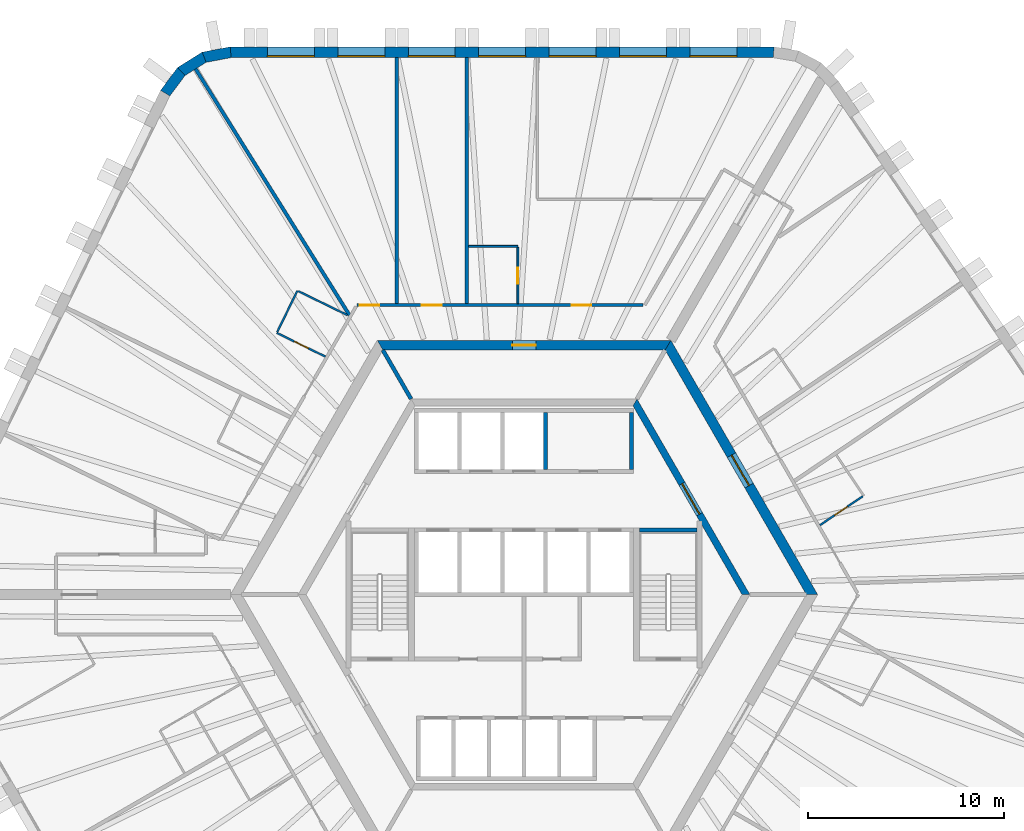
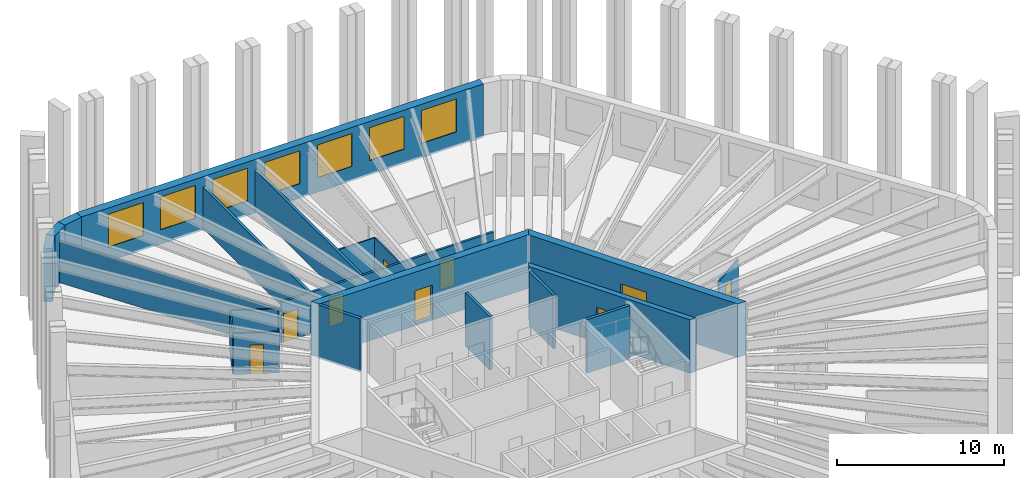
# One storey, part 7 of 10: 21 walls, 9 doors, 7 windows, 16 openings.
"""IFC4 building model written with IfcOpenShell, lengths in metres."""

from ifc_helpers import new_model, si_unit, direction, frame, frame_2d, origin, place, context, subcontext, project, spatial, polyline, rectangle, outline, extrude, material, layer, layer_set, type_object, element, fill, save


model = new_model("IFC4")

# Units and contexts
model_context = context("Model", 3, precision=1e-05, world=origin(), true_north=direction((0.0, 1.0)))
body_context = subcontext(model_context, "Body", "Model", "MODEL_VIEW")
ifc_project = project(units=[si_unit("LENGTHUNIT", "METRE"), si_unit("AREAUNIT", "SQUARE_METRE"), si_unit("VOLUMEUNIT", "CUBIC_METRE"), si_unit("PLANEANGLEUNIT", "RADIAN"), si_unit("MASSUNIT", "GRAM", prefix="KILO")], contexts=[model_context])

# Site, building, storey
site_placement = place(None, origin())
site = spatial("IfcSite", under=ifc_project, at=site_placement, CompositionType="ELEMENT")
building_placement = place(site_placement, origin())
building = spatial("IfcBuilding", under=site, at=building_placement, Name="Tarnside Tower", CompositionType="ELEMENT")
storey_placement = place(building_placement, frame((0.0, 0.0, 226.800048828125)))
storey = spatial("IfcBuildingStorey", under=building, at=storey_placement, Name="L54", CompositionType="ELEMENT", Elevation=226.800048828125)

# Wall
ifc_material_1 = material(Name="Gypsum board partition on steel studs", Category="steel")
ifc_layer_1 = layer(ifc_material_1, 0.10009765625)
ifc_layer_set_1 = layer_set([ifc_layer_1], Name="Bathroom wall 100")
wall_type_1 = type_object("IfcWallType", Name="Bathroom wall 100", PredefinedType="PARTITIONING", material=ifc_layer_set_1)
wall_1_placement = place(storey_placement, frame((-2.827880859375, 17.800048828125, 0.0), z_axis=(0.0, 0.0, 1.0), x_axis=(1.0, 0.0, 0.0)))
element("IfcWall", 1, at=wall_1_placement, inside=storey, type_object=wall_type_1, Name="Bathroom wall 18051", PredefinedType="PARTITIONING", context=body_context, shape_type="SweptSolid", body=[
    extrude(rectangle(XDim=2.510009765625, YDim=0.10009765625, at=frame_2d((1.2548828125, 0.0))), origin(), (0.0, 0.0, 1.0), 2.98779296875),
])

# Wall, opening, door
wall_2_placement = place(storey_placement, frame((-0.31787109375, 17.75, 0.0), z_axis=(0.0, 0.0, 1.0), x_axis=(0.0, -1.0, 0.0)))
wall_2 = element("IfcWall", 2, at=wall_2_placement, inside=storey, type_object=wall_type_1, Name="Bathroom wall 18052", PredefinedType="PARTITIONING", context=body_context, shape_type="SweptSolid", body=[
    extrude(rectangle(XDim=2.875, YDim=0.10009765625, at=frame_2d((1.4375, 0.0))), origin(), (0.0, 0.0, 1.0), 2.98779296875),
])
opening_1_placement = place(wall_2_placement, frame((1.050048828125, 0.0, 0.0)))
opening_1 = element("IfcOpeningElement", 3, at=opening_1_placement, cuts=wall_2, Name="Opening D-B1", PredefinedType="OPENING", context=body_context, shape_type="SweptSolid", body=[
    extrude(rectangle(XDim=0.800048828125, YDim=2.10009765625, at=frame_2d((0.39990234375, 1.050048828125))), frame((0.0, 0.06005859375, 0.0), z_axis=(0.0, -1.0, 0.0), x_axis=(1.0, 0.0, 0.0)), (0.0, 0.0, 1.0), 0.1201171875),
])
ifc_material_2 = material(Name="Timber door leaf", Category="wood")
door_type_1 = type_object("IfcDoorType", Name="Bathroom door 800", OperationType="NOTDEFINED", PredefinedType="DOOR", material=ifc_material_2)
door_1_placement = place(opening_1_placement, origin())
door_1 = element("IfcDoor", 4, at=door_1_placement, inside=storey, type_object=door_type_1, Name="Bathroom door 18002", OperationType="SINGLE_SWING_LEFT", OverallHeight=2.10009765625, OverallWidth=0.800048828125, PredefinedType="DOOR", context=body_context, shape_type="SweptSolid", body=[
    extrude(rectangle(XDim=0.800048828125, YDim=2.10009765625, at=frame_2d((0.39990234375, 1.050048828125))), frame((0.0, 0.02490234375, 0.0), z_axis=(0.0, -1.0, 0.0), x_axis=(1.0, 0.0, 0.0)), (0.0, 0.0, 1.0), 0.050048828125),
])
fill(opening_1, door_1)

wall_3_placement = place(storey_placement, frame((-10.153076171875, 12.164306640625, 0.0), z_axis=(0.0, 0.0, 1.0), x_axis=(-0.898780323471, 0.438399281638, 0.0)))
wall_3 = element("IfcWall", 5, at=wall_3_placement, inside=storey, type_object=wall_type_1, Name="Bathroom wall 18059", PredefinedType="PARTITIONING", context=body_context, shape_type="SweptSolid", body=[
    extrude(rectangle(XDim=2.765625, YDim=0.10009765625, at=frame_2d((1.3828125, 0.0))), origin(), (0.0, 0.0, 1.0), 2.98779296875),
])
opening_2_placement = place(wall_3_placement, frame((0.965576171875, 0.0, 0.0)))
opening_2 = element("IfcOpeningElement", 6, at=opening_2_placement, cuts=wall_3, Name="Opening D-B1", PredefinedType="OPENING", context=body_context, shape_type="SweptSolid", body=[
    extrude(rectangle(XDim=0.800048828125, YDim=2.10009765625, at=frame_2d((0.39990234375, 1.050048828125))), frame((0.0, 0.06005859375, 0.0), z_axis=(0.0, -1.0, 0.0), x_axis=(1.0, 0.0, 0.0)), (0.0, 0.0, 1.0), 0.1201171875),
])
door_2_placement = place(opening_2_placement, origin())
door_2 = element("IfcDoor", 7, at=door_2_placement, inside=storey, type_object=door_type_1, Name="Bathroom door 18007", OperationType="SINGLE_SWING_LEFT", OverallHeight=2.10009765625, OverallWidth=0.800048828125, PredefinedType="DOOR", context=body_context, shape_type="SweptSolid", body=[
    extrude(rectangle(XDim=0.800048828125, YDim=2.10009765625, at=frame_2d((0.39990234375, 1.050048828125))), frame((0.0, 0.02490234375, 0.0), z_axis=(0.0, -1.0, 0.0), x_axis=(1.0, 0.0, 0.0)), (0.0, 0.0, 1.0), 0.050048828125),
])
fill(opening_2, door_2)

# Walls
wall_4_placement = place(storey_placement, frame((-12.61669921875, 13.421630859375, 0.0), z_axis=(0.0, 0.0, 1.0), x_axis=(0.438298773825, 0.898829341345, 0.0)))
element("IfcWall", 8, at=wall_4_placement, inside=storey, type_object=wall_type_1, Name="Bathroom wall 18060", PredefinedType="PARTITIONING", context=body_context, shape_type="SweptSolid", body=[
    extrude(rectangle(XDim=2.35009765625, YDim=0.10009765625, at=frame_2d((1.175048828125, 0.0))), origin(), (0.0, 0.0, 1.0), 2.98779296875),
])
wall_5_placement = place(storey_placement, frame((-11.541748046875, 15.511962890625, 0.0), z_axis=(0.0, 0.0, 1.0), x_axis=(0.898813033265, -0.438332215599, 0.0)))
element("IfcWall", 9, at=wall_5_placement, inside=storey, type_object=wall_type_1, Name="Bathroom wall 18061", PredefinedType="PARTITIONING", context=body_context, shape_type="SweptSolid", body=[
    extrude(rectangle(XDim=2.788818359375, YDim=0.10009765625, at=frame_2d((1.39453125, 0.0))), origin(), (0.0, 0.0, 1.0), 2.98779296875),
])

# Wall, opening, door
wall_6_placement = place(storey_placement, frame((17.3232421875, 5.02880859375, 0.0), z_axis=(0.0, 0.0, 1.0), x_axis=(-0.829031379595, -0.559202084802, 0.0)))
wall_6 = element("IfcWall", 10, at=wall_6_placement, inside=storey, type_object=wall_type_1, Name="Bathroom wall 18100", PredefinedType="PARTITIONING", context=body_context, shape_type="SweptSolid", body=[
    extrude(rectangle(XDim=2.6484375, YDim=0.10009765625, at=frame_2d((1.32421875, 0.0))), origin(), (0.0, 0.0, 1.0), 2.98779296875),
])
opening_3_placement = place(wall_6_placement, frame((0.949951171875, 0.0, 0.0)))
opening_3 = element("IfcOpeningElement", 11, at=opening_3_placement, cuts=wall_6, Name="Opening D-B1", PredefinedType="OPENING", context=body_context, shape_type="SweptSolid", body=[
    extrude(rectangle(XDim=0.800048828125, YDim=2.10009765625, at=frame_2d((0.39990234375, 1.050048828125))), frame((0.0, 0.06005859375, 0.0), z_axis=(0.0, -1.0, 0.0), x_axis=(1.0, 0.0, 0.0)), (0.0, 0.0, 1.0), 0.1201171875),
])
door_3_placement = place(opening_3_placement, origin())
door_3 = element("IfcDoor", 12, at=door_3_placement, inside=storey, type_object=door_type_1, Name="Bathroom door 18031", OperationType="SINGLE_SWING_LEFT", OverallHeight=2.10009765625, OverallWidth=0.800048828125, PredefinedType="DOOR", context=body_context, shape_type="SweptSolid", body=[
    extrude(rectangle(XDim=0.800048828125, YDim=2.10009765625, at=frame_2d((0.39990234375, 1.050048828125))), frame((0.0, 0.02490234375, 0.0), z_axis=(0.0, -1.0, 0.0), x_axis=(1.0, 0.0, 0.0)), (0.0, 0.0, 1.0), 0.050048828125),
])
fill(opening_3, door_3)

ifc_material_3 = material(Name="Concrete C50/60", Category="concrete")
ifc_layer_2 = layer(ifc_material_3, 0.35009765625)
ifc_layer_set_2 = layer_set([ifc_layer_2], Name="Core block wall 350 C50/60")
wall_type_2 = type_object("IfcWallType", Name="Core block wall 350 C50/60", PredefinedType="SHEAR", material=ifc_layer_set_2)
wall_7_placement = place(storey_placement, frame((11.344970703125, 0.0, -0.150146484375), z_axis=(0.0, 0.0, 1.0), x_axis=(-0.499995046907, 0.866028263435, 0.0)))
wall_7 = element("IfcWall", 13, at=wall_7_placement, inside=storey, type_object=wall_type_2, Name="L54 core block wall face 6", PredefinedType="SHEAR", context=body_context, shape_type="SweptSolid", body=[
    extrude(outline(polyline([(-0.10107421875, -0.175048828125), (11.44580078125, -0.175048828125), (11.24365234375, 0.175048828125), (0.10107421875, 0.175048828125), (-0.10107421875, -0.175048828125)])), origin(), (0.0, 0.0, 1.0), 3.900146484375),
])
opening_4_placement = place(wall_7_placement, frame((4.74365234375, 0.0, 0.14990234375)))
opening_4 = element("IfcOpeningElement", 14, at=opening_4_placement, cuts=wall_7, Name="Opening CD-LOB", PredefinedType="OPENING", context=body_context, shape_type="SweptSolid", body=[
    extrude(rectangle(XDim=1.800048828125, YDim=2.39990234375, at=frame_2d((0.89990234375, 1.199951171875))), frame((0.0, 0.18505859375, 0.0), z_axis=(0.0, -1.0, 0.0), x_axis=(1.0, 0.0, 0.0)), (0.0, 0.0, 1.0), 0.3701171875),
])
ifc_material_4 = material(Name="Steel fire door", Category="steel")
door_type_2 = type_object("IfcDoorType", Name="Lobby double door FD30S 1800x2400", OperationType="NOTDEFINED", PredefinedType="DOOR", material=ifc_material_4)
door_4_placement = place(opening_4_placement, origin())
door_4 = element("IfcDoor", 15, at=door_4_placement, inside=storey, type_object=door_type_2, Name="L54 lobby block door P2", OperationType="DOUBLE_DOOR_SINGLE_SWING", OverallHeight=2.39990234375, OverallWidth=1.800048828125, PredefinedType="DOOR", context=body_context, shape_type="SweptSolid", body=[
    extrude(rectangle(XDim=1.800048828125, YDim=2.39990234375, at=frame_2d((0.89990234375, 1.199951171875))), frame((0.0, 0.02490234375, 0.0), z_axis=(0.0, -1.0, 0.0), x_axis=(1.0, 0.0, 0.0)), (0.0, 0.0, 1.0), 0.050048828125),
])
fill(opening_4, door_4)

ifc_material_5 = material(Name="Concrete C70/85", Category="concrete")
ifc_layer_3 = layer(ifc_material_5, 0.5)
ifc_layer_set_3 = layer_set([ifc_layer_3], Name="Core wall Z2 500 C70/85")
wall_type_3 = type_object("IfcWallType", Name="Core wall Z2 500 C70/85", PredefinedType="SHEAR", material=ifc_layer_set_3)
wall_8_placement = place(storey_placement, frame((14.722412109375, 0.0, -0.150146484375), z_axis=(0.0, 0.0, 1.0), x_axis=(-0.50000571537, 0.866022103989, 0.0)))
wall_8 = element("IfcWall", 16, at=wall_8_placement, inside=storey, type_object=wall_type_3, Name="L54 core wall face 6", PredefinedType="SHEAR", context=body_context, shape_type="SweptSolid", body=[
    extrude(outline(polyline([(-0.144287109375, -0.25), (14.86669921875, -0.25), (14.578125, 0.25), (0.144287109375, 0.25), (-0.144287109375, -0.25)])), origin(), (0.0, 0.0, 1.0), 3.900146484375),
])
opening_5_placement = place(wall_8_placement, frame((6.432373046875, 0.0, 0.14990234375)))
opening_5 = element("IfcOpeningElement", 17, at=opening_5_placement, cuts=wall_8, Name="Opening CD-LOB", PredefinedType="OPENING", context=body_context, shape_type="SweptSolid", body=[
    extrude(rectangle(XDim=1.800048828125, YDim=2.39990234375, at=frame_2d((0.89990234375, 1.199951171875))), frame((0.0, 0.260009765625, 0.0), z_axis=(0.0, -1.0, 0.0), x_axis=(1.0, 0.0, 0.0)), (0.0, 0.0, 1.0), 0.52001953125),
])
door_5_placement = place(opening_5_placement, origin())
door_5 = element("IfcDoor", 18, at=door_5_placement, inside=storey, type_object=door_type_2, Name="L54 core door P2", OperationType="DOUBLE_DOOR_SINGLE_SWING", OverallHeight=2.39990234375, OverallWidth=1.800048828125, PredefinedType="DOOR", context=body_context, shape_type="SweptSolid", body=[
    extrude(rectangle(XDim=1.800048828125, YDim=2.39990234375, at=frame_2d((0.89990234375, 1.199951171875))), frame((0.0, 0.02490234375, 0.0), z_axis=(0.0, -1.0, 0.0), x_axis=(1.0, 0.0, 0.0)), (0.0, 0.0, 1.0), 0.050048828125),
])
fill(opening_5, door_5)

wall_9_placement = place(storey_placement, frame((7.361083984375, 12.75, -0.150146484375), z_axis=(0.0, 0.0, 1.0), x_axis=(-1.0, 0.0, 0.0)))
wall_9 = element("IfcWall", 19, at=wall_9_placement, inside=storey, type_object=wall_type_3, Name="L54 core wall face 1", PredefinedType="SHEAR", context=body_context, shape_type="SweptSolid", body=[
    extrude(outline(polyline([(-0.144287109375, -0.25), (14.866455078125, -0.25), (14.577880859375, 0.25), (0.144287109375, 0.25), (-0.144287109375, -0.25)])), origin(), (0.0, 0.0, 1.0), 3.900146484375),
])
opening_6_placement = place(wall_9_placement, frame((6.76123046875, 0.0, 0.14990234375)))
opening_6 = element("IfcOpeningElement", 20, at=opening_6_placement, cuts=wall_9, Name="Opening CD-RSR", PredefinedType="OPENING", context=body_context, shape_type="SweptSolid", body=[
    extrude(rectangle(XDim=1.199951171875, YDim=2.39990234375, at=frame_2d((0.60009765625, 1.199951171875))), frame((0.0, 0.260009765625, 0.0), z_axis=(0.0, -1.0, 0.0), x_axis=(1.0, 0.0, 0.0)), (0.0, 0.0, 1.0), 0.52001953125),
])
door_type_3 = type_object("IfcDoorType", Name="Riser door FD60 1200x2400", OperationType="NOTDEFINED", PredefinedType="DOOR", material=ifc_material_4)
door_6_placement = place(opening_6_placement, origin())
door_6 = element("IfcDoor", 21, at=door_6_placement, inside=storey, type_object=door_type_3, Name="L54 core door S5", OperationType="SINGLE_SWING_LEFT", OverallHeight=2.39990234375, OverallWidth=1.199951171875, PredefinedType="DOOR", context=body_context, shape_type="SweptSolid", body=[
    extrude(rectangle(XDim=1.199951171875, YDim=2.39990234375, at=frame_2d((0.60009765625, 1.199951171875))), frame((0.0, 0.02490234375, 0.0), z_axis=(0.0, -1.0, 0.0), x_axis=(1.0, 0.0, 0.0)), (0.0, 0.0, 1.0), 0.050048828125),
])
fill(opening_6, door_6)

# Wall, openings, doors
ifc_layer_4 = layer(ifc_material_1, 0.14990234375)
ifc_layer_set_4 = layer_set([ifc_layer_4], Name="Corridor wall 150 EI 60")
wall_type_4 = type_object("IfcWallType", Name="Corridor wall 150 EI 60", PredefinedType="PARTITIONING", material=ifc_layer_set_4)
wall_10_placement = place(storey_placement, frame((6.091064453125, 14.800048828125, 0.0), z_axis=(0.0, 0.0, 1.0), x_axis=(-1.0, 0.0, 0.0)))
wall_10 = element("IfcWall", 22, at=wall_10_placement, inside=storey, type_object=wall_type_4, Name="Corridor wall 18002", PredefinedType="PARTITIONING", context=body_context, shape_type="SweptSolid", body=[
    extrude(rectangle(XDim=14.6357421875, YDim=0.14990234375, at=frame_2d((7.31787109375, 0.0))), origin(), (0.0, 0.0, 1.0), 2.98779296875),
])
opening_7_placement = place(wall_10_placement, frame((2.6611328125, 0.0, 0.0)))
opening_7 = element("IfcOpeningElement", 23, at=opening_7_placement, cuts=wall_10, Name="Opening D-E1", PredefinedType="OPENING", context=body_context, shape_type="SweptSolid", body=[
    extrude(rectangle(XDim=1.0, YDim=2.10009765625, at=frame_2d((0.5, 1.050048828125))), frame((0.0, 0.0849609375, 0.0), z_axis=(0.0, -1.0, 0.0), x_axis=(1.0, 0.0, 0.0)), (0.0, 0.0, 1.0), 0.169921875),
])
opening_8_placement = place(wall_10_placement, frame((10.308837890625, 0.0, 0.0)))
opening_8 = element("IfcOpeningElement", 24, at=opening_8_placement, cuts=wall_10, Name="Opening D-E1", PredefinedType="OPENING", context=body_context, shape_type="SweptSolid", body=[
    extrude(rectangle(XDim=1.0, YDim=2.10009765625, at=frame_2d((0.5, 1.050048828125))), frame((0.0, 0.0849609375, 0.0), z_axis=(0.0, -1.0, 0.0), x_axis=(1.0, 0.0, 0.0)), (0.0, 0.0, 1.0), 0.169921875),
])
opening_9_placement = place(wall_10_placement, frame((13.48583984375, 0.0, 0.0)))
opening_9 = element("IfcOpeningElement", 25, at=opening_9_placement, cuts=wall_10, Name="Opening D-E1", PredefinedType="OPENING", context=body_context, shape_type="SweptSolid", body=[
    extrude(rectangle(XDim=1.0, YDim=2.10009765625, at=frame_2d((0.5, 1.050048828125))), frame((0.0, 0.0849609375, 0.0), z_axis=(0.0, -1.0, 0.0), x_axis=(1.0, 0.0, 0.0)), (0.0, 0.0, 1.0), 0.169921875),
])
door_type_4 = type_object("IfcDoorType", Name="Unit entrance door 1000 FD30S", OperationType="NOTDEFINED", PredefinedType="DOOR", material=ifc_material_2)
door_7_placement = place(opening_7_placement, origin())
door_7 = element("IfcDoor", 26, at=door_7_placement, inside=storey, type_object=door_type_4, Name="Unit door 18001", OperationType="SINGLE_SWING_RIGHT", OverallHeight=2.10009765625, OverallWidth=1.0, PredefinedType="DOOR", context=body_context, shape_type="SweptSolid", body=[
    extrude(rectangle(XDim=1.0, YDim=2.10009765625, at=frame_2d((0.5, 1.050048828125))), frame((0.0, 0.02490234375, 0.0), z_axis=(0.0, -1.0, 0.0), x_axis=(1.0, 0.0, 0.0)), (0.0, 0.0, 1.0), 0.050048828125),
])
fill(opening_7, door_7)
door_8_placement = place(opening_8_placement, origin())
door_8 = element("IfcDoor", 27, at=door_8_placement, inside=storey, type_object=door_type_4, Name="Unit door 18004", OperationType="SINGLE_SWING_RIGHT", OverallHeight=2.10009765625, OverallWidth=1.0, PredefinedType="DOOR", context=body_context, shape_type="SweptSolid", body=[
    extrude(rectangle(XDim=1.0, YDim=2.10009765625, at=frame_2d((0.5, 1.050048828125))), frame((0.0, 0.02490234375, 0.0), z_axis=(0.0, -1.0, 0.0), x_axis=(1.0, 0.0, 0.0)), (0.0, 0.0, 1.0), 0.050048828125),
])
fill(opening_8, door_8)
door_9_placement = place(opening_9_placement, origin())
door_9 = element("IfcDoor", 28, at=door_9_placement, inside=storey, type_object=door_type_4, Name="Unit door 18005", OperationType="SINGLE_SWING_LEFT", OverallHeight=2.10009765625, OverallWidth=1.0, PredefinedType="DOOR", context=body_context, shape_type="SweptSolid", body=[
    extrude(rectangle(XDim=1.0, YDim=2.10009765625, at=frame_2d((0.5, 1.050048828125))), frame((0.0, 0.02490234375, 0.0), z_axis=(0.0, -1.0, 0.0), x_axis=(1.0, 0.0, 0.0)), (0.0, 0.0, 1.0), 0.050048828125),
])
fill(opening_9, door_9)

# Walls
ifc_layer_5 = layer(ifc_material_1, 0.179931640625)
ifc_layer_set_5 = layer_set([ifc_layer_5], Name="Demising wall 180 EI 60")
wall_type_5 = type_object("IfcWallType", Name="Demising wall 180 EI 60", PredefinedType="PARTITIONING", material=ifc_layer_set_5)
for number, where, z_axis, x_axis, name in (
    (29, (-2.91796875, 27.449951171875, 0.0), (0.0, 0.0, 1.0), (0.0, -1.0, 0.0), "Demising wall 18055"),
    (30, (-6.517822265625, 27.449951171875, 0.0), (0.0, 0.0, 1.0), (0.0, -1.0, 0.0), "Demising wall 18057"),
):
    element("IfcWall", number, at=place(storey_placement, frame(where, z_axis=z_axis, x_axis=x_axis)), inside=storey, type_object=wall_type_5, Name=name, PredefinedType="PARTITIONING", context=body_context, shape_type="SweptSolid", body=[
        extrude(rectangle(XDim=12.574951171875, YDim=0.179931640625, at=frame_2d((6.28759765625, 0.0))), origin(), (0.0, 0.0, 1.0), 2.98779296875),
    ])
wall_11_placement = place(storey_placement, frame((-16.791015625, 26.87109375, 0.0), z_axis=(0.0, 0.0, 1.0), x_axis=(0.529927950822, -0.848042668111, 0.0)))
element("IfcWall", 31, at=wall_11_placement, inside=storey, type_object=wall_type_5, Name="Demising wall 18058", PredefinedType="PARTITIONING", context=body_context, shape_type="SweptSolid", body=[
    extrude(rectangle(XDim=14.8388671875, YDim=0.179931640625, at=frame_2d((7.41943359375, 0.0))), origin(), (0.0, 0.0, 1.0), 2.98779296875),
])
ifc_material_6 = material(Name="Concrete C40/50", Category="concrete")
ifc_layer_6 = layer(ifc_material_6, 0.199951171875)
ifc_layer_set_6 = layer_set([ifc_layer_6], Name="Lift shaft wall 200 C40/50")
wall_type_6 = type_object("IfcWallType", Name="Lift shaft wall 200 C40/50", PredefinedType="SHEAR", material=ifc_layer_set_6)
for number, where, z_axis, x_axis, name in (
    (32, (1.10009765625, 6.39990234375, -0.25), (0.0, 0.0, 1.0), (0.0, 1.0, 0.0), "L54 lift shaft partition R14"),
    (33, (5.5, 6.39990234375, -0.25), (0.0, 0.0, 1.0), (0.0, 1.0, 0.0), "L54 lift shaft partition R16"),
):
    element("IfcWall", number, at=place(storey_placement, frame(where, z_axis=z_axis, x_axis=x_axis)), inside=storey, type_object=wall_type_6, Name=name, PredefinedType="SHEAR", context=body_context, shape_type="SweptSolid", body=[
        extrude(rectangle(XDim=2.900146484375, YDim=0.199951171875, at=frame_2d((1.4501953125, 0.0))), origin(), (0.0, 0.0, 1.0), 3.89990234375),
    ])
wall_12_placement = place(storey_placement, frame((-5.7734375, 10.0, -0.150146484375), z_axis=(0.0, 0.0, 1.0), x_axis=(-0.499995765644, 0.866027848477, 0.0)))
element("IfcWall", 34, at=wall_12_placement, inside=storey, type_object=wall_type_6, Name="L54 core partition AR120", PredefinedType="SHEAR", context=body_context, shape_type="SweptSolid", body=[
    extrude(rectangle(XDim=2.88671875, YDim=0.199951171875, at=frame_2d((1.443359375, 0.0))), origin(), (0.0, 0.0, 1.0), 3.900146484375),
])
wall_13_placement = place(storey_placement, frame((5.89990234375, 3.300048828125, -0.25), z_axis=(0.0, 0.0, 1.0), x_axis=(1.0, 0.0, 0.0)))
element("IfcWall", 35, at=wall_13_placement, inside=storey, type_object=wall_type_6, Name="L54 stair 1 enclosure cap wall n", PredefinedType="SHEAR", context=body_context, shape_type="SweptSolid", body=[
    extrude(rectangle(XDim=2.9501953125, YDim=0.199951171875, at=frame_2d((1.47509765625, 0.0))), origin(), (0.0, 0.0, 1.0), 3.89990234375),
])

# Wall, openings, windows
ifc_material_7 = material(Name="Facing brick", Category="masonry")
ifc_layer_7 = layer(ifc_material_7, 0.10205078125)
ifc_material_8 = material(Name="Concrete C60/75 precast", Category="concrete")
ifc_layer_8 = layer(ifc_material_8, 0.347900390625)
ifc_material_9 = material(Name="Mineral wool insulation")
ifc_layer_9 = layer(ifc_material_9, 0.10009765625)
ifc_layer_set_7 = layer_set([ifc_layer_7, ifc_layer_8, ifc_layer_9], Name="Tube wall 550 brick faced")
wall_type_7 = type_object("IfcWallType", Name="Tube wall 550 brick faced", PredefinedType="SOLIDWALL", material=ifc_layer_set_7)
wall_14_placement = place(storey_placement, frame((12.760986328125, 27.72509765625, -0.150146484375), z_axis=(0.0, 0.0, 1.0), x_axis=(-1.0, 0.0, 0.0)))
wall_14 = element("IfcWall", 36, at=wall_14_placement, inside=storey, type_object=wall_type_7, Name="Tube wall L54 F1 flush 00", PredefinedType="SOLIDWALL", context=body_context, shape_type="SweptSolid", body=[
    extrude(outline(polyline([(-0.0224609375, -0.27490234375), (27.783447265625, -0.27490234375), (27.732177734375, 0.27490234375), (0.0224609375, 0.27490234375), (-0.0224609375, -0.27490234375)])), origin(), (0.0, 0.0, 1.0), 3.900146484375),
])
opening_10_placement = place(wall_14_placement, frame((1.87890625, 0.0, 1.050048828125)))
opening_10 = element("IfcOpeningElement", 37, at=opening_10_placement, cuts=wall_14, Name="Opening WH", PredefinedType="OPENING", context=body_context, shape_type="SweptSolid", body=[
    extrude(rectangle(XDim=2.39990234375, YDim=2.39990234375, at=frame_2d((1.199951171875, 1.199951171875))), frame((0.0, 0.28515625, 0.0), z_axis=(0.0, -1.0, 0.0), x_axis=(1.0, 0.0, 0.0)), (0.0, 0.0, 1.0), 0.570068359375),
])
opening_11_placement = place(wall_14_placement, frame((5.47900390625, 0.0, 1.050048828125)))
opening_11 = element("IfcOpeningElement", 38, at=opening_11_placement, cuts=wall_14, Name="Opening WH", PredefinedType="OPENING", context=body_context, shape_type="SweptSolid", body=[
    extrude(rectangle(XDim=2.39990234375, YDim=2.39990234375, at=frame_2d((1.199951171875, 1.199951171875))), frame((0.0, 0.28515625, 0.0), z_axis=(0.0, -1.0, 0.0), x_axis=(1.0, 0.0, 0.0)), (0.0, 0.0, 1.0), 0.570068359375),
])
opening_12_placement = place(wall_14_placement, frame((9.078857421875, 0.0, 1.050048828125)))
opening_12 = element("IfcOpeningElement", 39, at=opening_12_placement, cuts=wall_14, Name="Opening WH", PredefinedType="OPENING", context=body_context, shape_type="SweptSolid", body=[
    extrude(rectangle(XDim=2.39990234375, YDim=2.39990234375, at=frame_2d((1.199951171875, 1.199951171875))), frame((0.0, 0.28515625, 0.0), z_axis=(0.0, -1.0, 0.0), x_axis=(1.0, 0.0, 0.0)), (0.0, 0.0, 1.0), 0.570068359375),
])
opening_13_placement = place(wall_14_placement, frame((12.678955078125, 0.0, 1.050048828125)))
opening_13 = element("IfcOpeningElement", 40, at=opening_13_placement, cuts=wall_14, Name="Opening WH", PredefinedType="OPENING", context=body_context, shape_type="SweptSolid", body=[
    extrude(rectangle(XDim=2.39990234375, YDim=2.39990234375, at=frame_2d((1.199951171875, 1.199951171875))), frame((0.0, 0.28515625, 0.0), z_axis=(0.0, -1.0, 0.0), x_axis=(1.0, 0.0, 0.0)), (0.0, 0.0, 1.0), 0.570068359375),
])
opening_14_placement = place(wall_14_placement, frame((16.27880859375, 0.0, 1.050048828125)))
opening_14 = element("IfcOpeningElement", 41, at=opening_14_placement, cuts=wall_14, Name="Opening WH", PredefinedType="OPENING", context=body_context, shape_type="SweptSolid", body=[
    extrude(rectangle(XDim=2.39990234375, YDim=2.39990234375, at=frame_2d((1.199951171875, 1.199951171875))), frame((0.0, 0.28515625, 0.0), z_axis=(0.0, -1.0, 0.0), x_axis=(1.0, 0.0, 0.0)), (0.0, 0.0, 1.0), 0.570068359375),
])
opening_15_placement = place(wall_14_placement, frame((19.87890625, 0.0, 1.050048828125)))
opening_15 = element("IfcOpeningElement", 42, at=opening_15_placement, cuts=wall_14, Name="Opening WH", PredefinedType="OPENING", context=body_context, shape_type="SweptSolid", body=[
    extrude(rectangle(XDim=2.39990234375, YDim=2.39990234375, at=frame_2d((1.199951171875, 1.199951171875))), frame((0.0, 0.28515625, 0.0), z_axis=(0.0, -1.0, 0.0), x_axis=(1.0, 0.0, 0.0)), (0.0, 0.0, 1.0), 0.570068359375),
])
opening_16_placement = place(wall_14_placement, frame((23.47900390625, 0.0, 1.050048828125)))
opening_16 = element("IfcOpeningElement", 43, at=opening_16_placement, cuts=wall_14, Name="Opening WH", PredefinedType="OPENING", context=body_context, shape_type="SweptSolid", body=[
    extrude(rectangle(XDim=2.39990234375, YDim=2.39990234375, at=frame_2d((1.199951171875, 1.199951171875))), frame((0.0, 0.28515625, 0.0), z_axis=(0.0, -1.0, 0.0), x_axis=(1.0, 0.0, 0.0)), (0.0, 0.0, 1.0), 0.570068359375),
])
ifc_material_10 = material(Name="Aluminium-framed double glazing", Category="aluminium")
window_type = type_object("IfcWindowType", Name="Hotel window 2400 x 2400", PartitioningType="DOUBLE_PANEL_VERTICAL", PredefinedType="WINDOW", material=ifc_material_10)
window_1_placement = place(opening_10_placement, frame((0.0, 0.205078125, 0.0)))
window_1 = element("IfcWindow", 44, at=window_1_placement, inside=storey, type_object=window_type, Name="E.WN.L54.F1.00", OverallHeight=2.39990234375, OverallWidth=2.39990234375, PartitioningType="DOUBLE_PANEL_VERTICAL", PredefinedType="WINDOW", context=body_context, shape_type="SweptSolid", body=[
    extrude(rectangle(XDim=2.39990234375, YDim=2.39990234375, at=frame_2d((1.199951171875, 1.199951171875))), frame((0.0, 0.030029296875, 0.0), z_axis=(0.0, -1.0, 0.0), x_axis=(1.0, 0.0, 0.0)), (0.0, 0.0, 1.0), 0.06005859375),
])
fill(opening_10, window_1)
window_2_placement = place(opening_11_placement, frame((0.0, 0.205078125, 0.0)))
window_2 = element("IfcWindow", 45, at=window_2_placement, inside=storey, type_object=window_type, Name="E.WN.L54.F1.01", OverallHeight=2.39990234375, OverallWidth=2.39990234375, PartitioningType="DOUBLE_PANEL_VERTICAL", PredefinedType="WINDOW", context=body_context, shape_type="SweptSolid", body=[
    extrude(rectangle(XDim=2.39990234375, YDim=2.39990234375, at=frame_2d((1.199951171875, 1.199951171875))), frame((0.0, 0.030029296875, 0.0), z_axis=(0.0, -1.0, 0.0), x_axis=(1.0, 0.0, 0.0)), (0.0, 0.0, 1.0), 0.06005859375),
])
fill(opening_11, window_2)
window_3_placement = place(opening_12_placement, frame((0.0, 0.205078125, 0.0)))
window_3 = element("IfcWindow", 46, at=window_3_placement, inside=storey, type_object=window_type, Name="E.WN.L54.F1.02", OverallHeight=2.39990234375, OverallWidth=2.39990234375, PartitioningType="DOUBLE_PANEL_VERTICAL", PredefinedType="WINDOW", context=body_context, shape_type="SweptSolid", body=[
    extrude(rectangle(XDim=2.39990234375, YDim=2.39990234375, at=frame_2d((1.199951171875, 1.199951171875))), frame((0.0, 0.030029296875, 0.0), z_axis=(0.0, -1.0, 0.0), x_axis=(1.0, 0.0, 0.0)), (0.0, 0.0, 1.0), 0.06005859375),
])
fill(opening_12, window_3)
window_4_placement = place(opening_13_placement, frame((0.0, 0.205078125, 0.0)))
window_4 = element("IfcWindow", 47, at=window_4_placement, inside=storey, type_object=window_type, Name="E.WN.L54.F1.03", OverallHeight=2.39990234375, OverallWidth=2.39990234375, PartitioningType="DOUBLE_PANEL_VERTICAL", PredefinedType="WINDOW", context=body_context, shape_type="SweptSolid", body=[
    extrude(rectangle(XDim=2.39990234375, YDim=2.39990234375, at=frame_2d((1.199951171875, 1.199951171875))), frame((0.0, 0.030029296875, 0.0), z_axis=(0.0, -1.0, 0.0), x_axis=(1.0, 0.0, 0.0)), (0.0, 0.0, 1.0), 0.06005859375),
])
fill(opening_13, window_4)
window_5_placement = place(opening_14_placement, frame((0.0, 0.205078125, 0.0)))
window_5 = element("IfcWindow", 48, at=window_5_placement, inside=storey, type_object=window_type, Name="E.WN.L54.F1.04", OverallHeight=2.39990234375, OverallWidth=2.39990234375, PartitioningType="DOUBLE_PANEL_VERTICAL", PredefinedType="WINDOW", context=body_context, shape_type="SweptSolid", body=[
    extrude(rectangle(XDim=2.39990234375, YDim=2.39990234375, at=frame_2d((1.199951171875, 1.199951171875))), frame((0.0, 0.030029296875, 0.0), z_axis=(0.0, -1.0, 0.0), x_axis=(1.0, 0.0, 0.0)), (0.0, 0.0, 1.0), 0.06005859375),
])
fill(opening_14, window_5)
window_6_placement = place(opening_15_placement, frame((0.0, 0.205078125, 0.0)))
window_6 = element("IfcWindow", 49, at=window_6_placement, inside=storey, type_object=window_type, Name="E.WN.L54.F1.05", OverallHeight=2.39990234375, OverallWidth=2.39990234375, PartitioningType="DOUBLE_PANEL_VERTICAL", PredefinedType="WINDOW", context=body_context, shape_type="SweptSolid", body=[
    extrude(rectangle(XDim=2.39990234375, YDim=2.39990234375, at=frame_2d((1.199951171875, 1.199951171875))), frame((0.0, 0.030029296875, 0.0), z_axis=(0.0, -1.0, 0.0), x_axis=(1.0, 0.0, 0.0)), (0.0, 0.0, 1.0), 0.06005859375),
])
fill(opening_15, window_6)
window_7_placement = place(opening_16_placement, frame((0.0, 0.205078125, 0.0)))
window_7 = element("IfcWindow", 50, at=window_7_placement, inside=storey, type_object=window_type, Name="E.WN.L54.F1.06", OverallHeight=2.39990234375, OverallWidth=2.39990234375, PartitioningType="DOUBLE_PANEL_VERTICAL", PredefinedType="WINDOW", context=body_context, shape_type="SweptSolid", body=[
    extrude(rectangle(XDim=2.39990234375, YDim=2.39990234375, at=frame_2d((1.199951171875, 1.199951171875))), frame((0.0, 0.030029296875, 0.0), z_axis=(0.0, -1.0, 0.0), x_axis=(1.0, 0.0, 0.0)), (0.0, 0.0, 1.0), 0.06005859375),
])
fill(opening_16, window_7)

# Walls
wall_15_placement = place(storey_placement, frame((-14.996826171875, 27.72509765625, -0.150146484375), z_axis=(0.0, 0.0, 1.0), x_axis=(-0.982705443133, -0.185175624845, 0.0)))
element("IfcWall", 51, at=wall_15_placement, inside=storey, type_object=wall_type_7, Name="Tube wall L54 F1 chord 01", PredefinedType="SOLIDWALL", context=body_context, shape_type="SweptSolid", body=[
    extrude(outline(polyline([(-0.025634765625, -0.27490234375), (1.430908203125, -0.27490234375), (1.327392578125, 0.27490234375), (0.025634765625, 0.27490234375), (-0.025634765625, -0.27490234375)])), origin(), (0.0, 0.0, 1.0), 3.900146484375),
])
wall_16_placement = place(storey_placement, frame((-16.35205078125, 27.4697265625, -0.150146484375), z_axis=(0.0, 0.0, 1.0), x_axis=(-0.848057977594, -0.5299034503, 0.0)))
element("IfcWall", 52, at=wall_16_placement, inside=storey, type_object=wall_type_7, Name="Tube wall L54 F1 chord 02", PredefinedType="SOLIDWALL", context=body_context, shape_type="SweptSolid", body=[
    extrude(outline(polyline([(-0.0517578125, -0.27490234375), (1.4306640625, -0.27490234375), (1.3271484375, 0.27490234375), (0.0517578125, 0.27490234375), (-0.0517578125, -0.27490234375)])), origin(), (0.0, 0.0, 1.0), 3.900146484375),
])
wall_17_placement = place(storey_placement, frame((-17.521484375, 26.739013671875, -0.150146484375), z_axis=(0.0, 0.0, 1.0), x_axis=(-0.597135295884, -0.802140535324, 0.0)))
element("IfcWall", 53, at=wall_17_placement, inside=storey, type_object=wall_type_7, Name="Tube wall L54 F1 chord 03", PredefinedType="SOLIDWALL", context=body_context, shape_type="SweptSolid", body=[
    extrude(outline(polyline([(-0.0517578125, -0.27490234375), (1.40478515625, -0.27490234375), (1.353515625, 0.27490234375), (0.0517578125, 0.27490234375), (-0.0517578125, -0.27490234375)])), origin(), (0.0, 0.0, 1.0), 3.900146484375),
])

save(model, "model.ifc")
